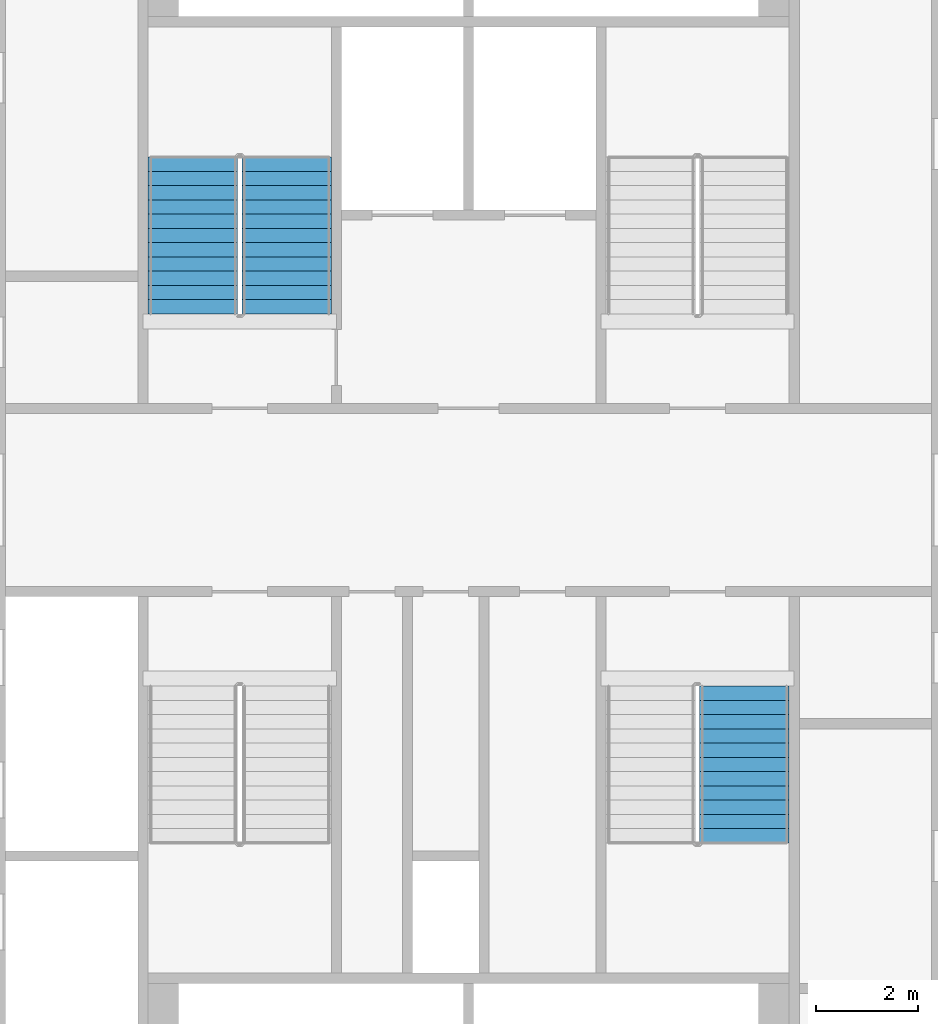
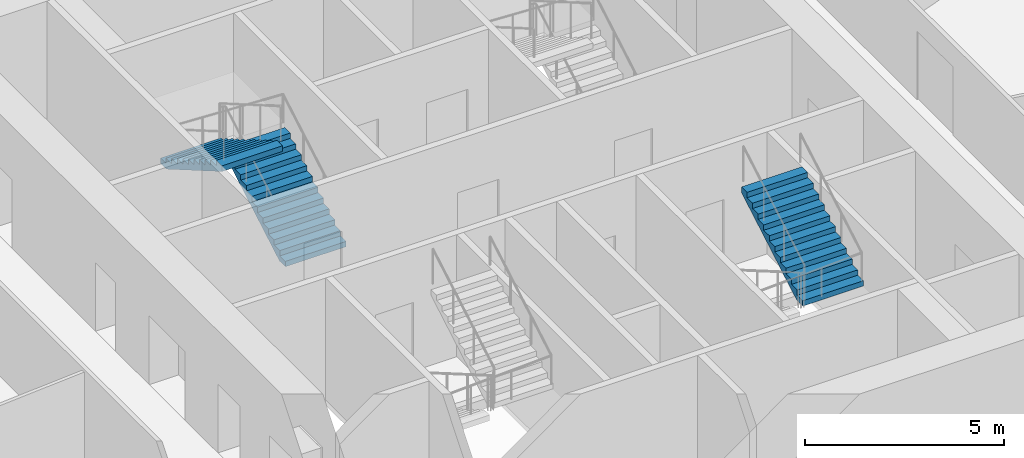
# One storey, part 16 of 22: 3 stair flights, 2 elements without a shape of their own.
"""IFC4 building model written with IfcOpenShell, lengths in metres."""

from ifc_helpers import new_model, si_unit, direction, frame, origin, place, context, subcontext, project, spatial, faceted_brep, material, type_object, element, aggregate, save


model = new_model("IFC4")

# Units and contexts
model_context = context("Model", 3, precision=1e-05, world=origin(), true_north=direction((0.0, 1.0)))
body_context = subcontext(model_context, "Body", "Model", "MODEL_VIEW")
ifc_project = project(units=[si_unit("LENGTHUNIT", "METRE"), si_unit("AREAUNIT", "SQUARE_METRE"), si_unit("VOLUMEUNIT", "CUBIC_METRE"), si_unit("PLANEANGLEUNIT", "RADIAN"), si_unit("MASSUNIT", "GRAM", prefix="KILO")], contexts=[model_context])

# Site, building, storey
site_placement = place(None, origin())
site = spatial("IfcSite", under=ifc_project, at=site_placement, CompositionType="ELEMENT")
building_placement = place(site_placement, origin())
building = spatial("IfcBuilding", under=site, at=building_placement, Name="Tarsis Ring Headquarters", CompositionType="ELEMENT")
storey_placement = place(building_placement, frame((0.0, 0.0, 63.39990234375)))
storey = spatial("IfcBuildingStorey", under=building, at=storey_placement, Name="L13", CompositionType="ELEMENT", Elevation=63.39990234375)

# Stair, stair flights
ifc_material_1 = material(Name="Core stair 1760")
stair_type = type_object("IfcStairType", Name="Core stair 1760", PredefinedType="HALF_TURN_STAIR", material=ifc_material_1)
stair_1_placement = place(storey_placement, origin())
stair_1 = element("IfcStair", 1, at=stair_1_placement, inside=storey, type_object=stair_type, Name="L13 Firefighting stair", PredefinedType="HALF_TURN_STAIR")
ifc_material_2 = material(Name="Concrete C40/50", Category="concrete")
stair_flight_type = type_object("IfcStairFlightType", Name="Core stair flight 1760", PredefinedType="STRAIGHT", material=ifc_material_2)
stair_flight_1_placement = place(storey_placement, frame((-3.580078125, 3.659912109375, 0.0), z_axis=(0.0, 0.0, 1.0), x_axis=(0.0, 1.0, 0.0)))
stair_flight_1 = element("IfcStairFlight", 2, at=stair_flight_1_placement, type_object=stair_flight_type, Name="Stair ST1 flight 1", NumberOfRisers=12, NumberOfTreads=11, PredefinedType="STRAIGHT", RiserHeight=0.1625, TreadLength=0.28, context=body_context, shape_type="Brep", body=[
    faceted_brep([(0.0, 0.8798828125, 0.0), (0.0, 0.8798828125, 0.16259765625), (0.280029296875, 0.8798828125, 0.16259765625), (0.280029296875, 0.8798828125, 0.324951171875), (0.56005859375, 0.8798828125, 0.324951171875), (0.56005859375, 0.8798828125, 0.487548828125), (0.840087890625, 0.8798828125, 0.487548828125), (0.840087890625, 0.8798828125, 0.64990234375), (1.1201171875, 0.8798828125, 0.64990234375), (1.1201171875, 0.8798828125, 0.8125), (1.39990234375, 0.8798828125, 0.8125), (1.39990234375, 0.8798828125, 0.97509765625), (1.679931640625, 0.8798828125, 0.97509765625), (1.679931640625, 0.8798828125, 1.137451171875), (1.9599609375, 0.8798828125, 1.137451171875), (1.9599609375, 0.8798828125, 1.300048828125), (2.239990234375, 0.8798828125, 1.300048828125), (2.239990234375, 0.8798828125, 1.46240234375), (2.52001953125, 0.8798828125, 1.46240234375), (2.52001953125, 0.8798828125, 1.625), (2.800048828125, 0.8798828125, 1.625), (2.800048828125, 0.8798828125, 1.78759765625), (3.080078125, 0.8798828125, 1.78759765625), (3.080078125, 0.8798828125, 1.6142578125), (0.298583984375, 0.8798828125, 0.0), (0.298583984375, -0.8798828125, 0.0), (3.080078125, -0.8798828125, 1.6142578125), (3.080078125, -0.8798828125, 1.78759765625), (2.800048828125, -0.8798828125, 1.78759765625), (2.800048828125, -0.8798828125, 1.625), (2.52001953125, -0.8798828125, 1.625), (2.52001953125, -0.8798828125, 1.46240234375), (2.239990234375, -0.8798828125, 1.46240234375), (2.239990234375, -0.8798828125, 1.300048828125), (1.9599609375, -0.8798828125, 1.300048828125), (1.9599609375, -0.8798828125, 1.137451171875), (1.679931640625, -0.8798828125, 1.137451171875), (1.679931640625, -0.8798828125, 0.97509765625), (1.39990234375, -0.8798828125, 0.97509765625), (1.39990234375, -0.8798828125, 0.8125), (1.1201171875, -0.8798828125, 0.8125), (1.1201171875, -0.8798828125, 0.64990234375), (0.840087890625, -0.8798828125, 0.64990234375), (0.840087890625, -0.8798828125, 0.487548828125), (0.56005859375, -0.8798828125, 0.487548828125), (0.56005859375, -0.8798828125, 0.324951171875), (0.280029296875, -0.8798828125, 0.324951171875), (0.280029296875, -0.8798828125, 0.16259765625), (0.0, -0.8798828125, 0.16259765625), (0.0, -0.8798828125, 0.0), (0.0, -0.43994140625, 0.16259765625), (0.0, -0.43994140625, 0.0), (0.0, 0.0, 0.16259765625), (0.0, 0.0, 0.0), (0.0, 0.43994140625, 0.16259765625), (0.0, 0.43994140625, 0.0), (0.280029296875, -0.43994140625, 0.16259765625), (0.280029296875, 0.0, 0.16259765625), (0.280029296875, 0.43994140625, 0.16259765625), (0.280029296875, -0.43994140625, 0.324951171875), (0.280029296875, 0.0, 0.324951171875), (0.280029296875, 0.43994140625, 0.324951171875), (0.56005859375, -0.43994140625, 0.324951171875), (0.56005859375, 0.0, 0.324951171875), (0.56005859375, 0.43994140625, 0.324951171875), (0.56005859375, -0.43994140625, 0.487548828125), (0.56005859375, 0.0, 0.487548828125), (0.56005859375, 0.43994140625, 0.487548828125), (0.840087890625, -0.43994140625, 0.487548828125), (0.840087890625, 0.0, 0.487548828125), (0.840087890625, 0.43994140625, 0.487548828125), (0.840087890625, -0.43994140625, 0.64990234375), (0.840087890625, 0.0, 0.64990234375), (0.840087890625, 0.43994140625, 0.64990234375), (1.1201171875, -0.43994140625, 0.64990234375), (1.1201171875, 0.0, 0.64990234375), (1.1201171875, 0.43994140625, 0.64990234375), (1.1201171875, -0.43994140625, 0.8125), (1.1201171875, 0.0, 0.8125), (1.1201171875, 0.43994140625, 0.8125), (1.39990234375, -0.43994140625, 0.8125), (1.39990234375, 0.0, 0.8125), (1.39990234375, 0.43994140625, 0.8125), (1.39990234375, -0.43994140625, 0.97509765625), (1.39990234375, 0.0, 0.97509765625), (1.39990234375, 0.43994140625, 0.97509765625), (1.679931640625, -0.43994140625, 0.97509765625), (1.679931640625, 0.0, 0.97509765625), (1.679931640625, 0.43994140625, 0.97509765625), (1.679931640625, -0.43994140625, 1.137451171875), (1.679931640625, 0.0, 1.137451171875), (1.679931640625, 0.43994140625, 1.137451171875), (1.9599609375, -0.43994140625, 1.137451171875), (1.9599609375, 0.0, 1.137451171875), (1.9599609375, 0.43994140625, 1.137451171875), (1.9599609375, -0.43994140625, 1.300048828125), (1.9599609375, 0.0, 1.300048828125), (1.9599609375, 0.43994140625, 1.300048828125), (2.239990234375, -0.43994140625, 1.300048828125), (2.239990234375, 0.0, 1.300048828125), (2.239990234375, 0.43994140625, 1.300048828125), (2.239990234375, -0.43994140625, 1.46240234375), (2.239990234375, 0.0, 1.46240234375), (2.239990234375, 0.43994140625, 1.46240234375), (2.52001953125, -0.43994140625, 1.46240234375), (2.52001953125, 0.0, 1.46240234375), (2.52001953125, 0.43994140625, 1.46240234375), (2.52001953125, -0.43994140625, 1.625), (2.52001953125, 0.0, 1.625), (2.52001953125, 0.43994140625, 1.625), (2.800048828125, -0.43994140625, 1.625), (2.800048828125, 0.0, 1.625), (2.800048828125, 0.43994140625, 1.625), (2.800048828125, -0.43994140625, 1.78759765625), (2.800048828125, 0.0, 1.78759765625), (2.800048828125, 0.43994140625, 1.78759765625), (3.080078125, -0.43994140625, 1.78759765625), (3.080078125, 0.0, 1.78759765625), (3.080078125, 0.43994140625, 1.78759765625), (3.080078125, -0.43994140625, 1.6142578125), (3.080078125, 0.0, 1.6142578125), (3.080078125, 0.43994140625, 1.6142578125), (0.298583984375, -0.43994140625, 0.0), (0.298583984375, 0.0, 0.0), (0.298583984375, 0.43994140625, 0.0)], [[[0, 1, 2, 3, 4, 5, 6, 7, 8, 9, 10, 11, 12, 13, 14, 15, 16, 17, 18, 19, 20, 21, 22, 23, 24]], [[25, 26, 27, 28, 29, 30, 31, 32, 33, 34, 35, 36, 37, 38, 39, 40, 41, 42, 43, 44, 45, 46, 47, 48, 49]], [[49, 48, 50, 51]], [[51, 50, 52, 53]], [[53, 52, 54, 55]], [[55, 54, 1, 0]], [[48, 47, 56, 50]], [[50, 56, 57, 52]], [[52, 57, 58, 54]], [[54, 58, 2, 1]], [[47, 46, 59, 56]], [[56, 59, 60, 57]], [[57, 60, 61, 58]], [[58, 61, 3, 2]], [[46, 45, 62, 59]], [[59, 62, 63, 60]], [[60, 63, 64, 61]], [[61, 64, 4, 3]], [[45, 44, 65, 62]], [[62, 65, 66, 63]], [[63, 66, 67, 64]], [[64, 67, 5, 4]], [[44, 43, 68, 65]], [[65, 68, 69, 66]], [[66, 69, 70, 67]], [[67, 70, 6, 5]], [[43, 42, 71, 68]], [[68, 71, 72, 69]], [[69, 72, 73, 70]], [[70, 73, 7, 6]], [[42, 41, 74, 71]], [[71, 74, 75, 72]], [[72, 75, 76, 73]], [[73, 76, 8, 7]], [[41, 40, 77, 74]], [[74, 77, 78, 75]], [[75, 78, 79, 76]], [[76, 79, 9, 8]], [[40, 39, 80, 77]], [[77, 80, 81, 78]], [[78, 81, 82, 79]], [[79, 82, 10, 9]], [[39, 38, 83, 80]], [[80, 83, 84, 81]], [[81, 84, 85, 82]], [[82, 85, 11, 10]], [[38, 37, 86, 83]], [[83, 86, 87, 84]], [[84, 87, 88, 85]], [[85, 88, 12, 11]], [[37, 36, 89, 86]], [[86, 89, 90, 87]], [[87, 90, 91, 88]], [[88, 91, 13, 12]], [[36, 35, 92, 89]], [[89, 92, 93, 90]], [[90, 93, 94, 91]], [[91, 94, 14, 13]], [[35, 34, 95, 92]], [[92, 95, 96, 93]], [[93, 96, 97, 94]], [[94, 97, 15, 14]], [[34, 33, 98, 95]], [[95, 98, 99, 96]], [[96, 99, 100, 97]], [[97, 100, 16, 15]], [[33, 32, 101, 98]], [[98, 101, 102, 99]], [[99, 102, 103, 100]], [[100, 103, 17, 16]], [[32, 31, 104, 101]], [[101, 104, 105, 102]], [[102, 105, 106, 103]], [[103, 106, 18, 17]], [[31, 30, 107, 104]], [[104, 107, 108, 105]], [[105, 108, 109, 106]], [[106, 109, 19, 18]], [[30, 29, 110, 107]], [[107, 110, 111, 108]], [[108, 111, 112, 109]], [[109, 112, 20, 19]], [[29, 28, 113, 110]], [[110, 113, 114, 111]], [[111, 114, 115, 112]], [[112, 115, 21, 20]], [[28, 27, 116, 113]], [[113, 116, 117, 114]], [[114, 117, 118, 115]], [[115, 118, 22, 21]], [[27, 26, 119, 116]], [[116, 119, 120, 117]], [[117, 120, 121, 118]], [[118, 121, 23, 22]], [[26, 25, 122, 119]], [[119, 122, 123, 120]], [[120, 123, 124, 121]], [[121, 124, 24, 23]], [[25, 49, 51, 122]], [[122, 51, 53, 123]], [[123, 53, 55, 124]], [[124, 55, 0, 24]]]),
])
stair_flight_2_placement = place(storey_placement, frame((-5.419921875, 6.739990234375, 1.9501953125), z_axis=(0.0, 0.0, 1.0), x_axis=(0.0, -1.0, 0.0)))
stair_flight_2 = element("IfcStairFlight", 3, at=stair_flight_2_placement, type_object=stair_flight_type, Name="Stair ST1 flight 2", NumberOfRisers=12, NumberOfTreads=11, PredefinedType="STRAIGHT", RiserHeight=0.1625, TreadLength=0.28, context=body_context, shape_type="Brep", body=[
    faceted_brep([(0.0, 0.8798828125, 0.0), (0.0, 0.8798828125, 0.16259765625), (0.280029296875, 0.8798828125, 0.16259765625), (0.280029296875, 0.8798828125, 0.324951171875), (0.56005859375, 0.8798828125, 0.324951171875), (0.56005859375, 0.8798828125, 0.487548828125), (0.840087890625, 0.8798828125, 0.487548828125), (0.840087890625, 0.8798828125, 0.64990234375), (1.1201171875, 0.8798828125, 0.64990234375), (1.1201171875, 0.8798828125, 0.8125), (1.39990234375, 0.8798828125, 0.8125), (1.39990234375, 0.8798828125, 0.97509765625), (1.679931640625, 0.8798828125, 0.97509765625), (1.679931640625, 0.8798828125, 1.137451171875), (1.9599609375, 0.8798828125, 1.137451171875), (1.9599609375, 0.8798828125, 1.300048828125), (2.239990234375, 0.8798828125, 1.300048828125), (2.239990234375, 0.8798828125, 1.46240234375), (2.52001953125, 0.8798828125, 1.46240234375), (2.52001953125, 0.8798828125, 1.625), (2.800048828125, 0.8798828125, 1.625), (2.800048828125, 0.8798828125, 1.78759765625), (3.080078125, 0.8798828125, 1.78759765625), (3.080078125, 0.8798828125, 1.6142578125), (0.298583984375, 0.8798828125, 0.0), (0.298583984375, -0.8798828125, 0.0), (3.080078125, -0.8798828125, 1.6142578125), (3.080078125, -0.8798828125, 1.78759765625), (2.800048828125, -0.8798828125, 1.78759765625), (2.800048828125, -0.8798828125, 1.625), (2.52001953125, -0.8798828125, 1.625), (2.52001953125, -0.8798828125, 1.46240234375), (2.239990234375, -0.8798828125, 1.46240234375), (2.239990234375, -0.8798828125, 1.300048828125), (1.9599609375, -0.8798828125, 1.300048828125), (1.9599609375, -0.8798828125, 1.137451171875), (1.679931640625, -0.8798828125, 1.137451171875), (1.679931640625, -0.8798828125, 0.97509765625), (1.39990234375, -0.8798828125, 0.97509765625), (1.39990234375, -0.8798828125, 0.8125), (1.1201171875, -0.8798828125, 0.8125), (1.1201171875, -0.8798828125, 0.64990234375), (0.840087890625, -0.8798828125, 0.64990234375), (0.840087890625, -0.8798828125, 0.487548828125), (0.56005859375, -0.8798828125, 0.487548828125), (0.56005859375, -0.8798828125, 0.324951171875), (0.280029296875, -0.8798828125, 0.324951171875), (0.280029296875, -0.8798828125, 0.16259765625), (0.0, -0.8798828125, 0.16259765625), (0.0, -0.8798828125, 0.0), (0.0, -0.43994140625, 0.16259765625), (0.0, -0.43994140625, 0.0), (0.0, 0.0, 0.16259765625), (0.0, 0.0, 0.0), (0.0, 0.43994140625, 0.16259765625), (0.0, 0.43994140625, 0.0), (0.280029296875, -0.43994140625, 0.16259765625), (0.280029296875, 0.0, 0.16259765625), (0.280029296875, 0.43994140625, 0.16259765625), (0.280029296875, -0.43994140625, 0.324951171875), (0.280029296875, 0.0, 0.324951171875), (0.280029296875, 0.43994140625, 0.324951171875), (0.56005859375, -0.43994140625, 0.324951171875), (0.56005859375, 0.0, 0.324951171875), (0.56005859375, 0.43994140625, 0.324951171875), (0.56005859375, -0.43994140625, 0.487548828125), (0.56005859375, 0.0, 0.487548828125), (0.56005859375, 0.43994140625, 0.487548828125), (0.840087890625, -0.43994140625, 0.487548828125), (0.840087890625, 0.0, 0.487548828125), (0.840087890625, 0.43994140625, 0.487548828125), (0.840087890625, -0.43994140625, 0.64990234375), (0.840087890625, 0.0, 0.64990234375), (0.840087890625, 0.43994140625, 0.64990234375), (1.1201171875, -0.43994140625, 0.64990234375), (1.1201171875, 0.0, 0.64990234375), (1.1201171875, 0.43994140625, 0.64990234375), (1.1201171875, -0.43994140625, 0.8125), (1.1201171875, 0.0, 0.8125), (1.1201171875, 0.43994140625, 0.8125), (1.39990234375, -0.43994140625, 0.8125), (1.39990234375, 0.0, 0.8125), (1.39990234375, 0.43994140625, 0.8125), (1.39990234375, -0.43994140625, 0.97509765625), (1.39990234375, 0.0, 0.97509765625), (1.39990234375, 0.43994140625, 0.97509765625), (1.679931640625, -0.43994140625, 0.97509765625), (1.679931640625, 0.0, 0.97509765625), (1.679931640625, 0.43994140625, 0.97509765625), (1.679931640625, -0.43994140625, 1.137451171875), (1.679931640625, 0.0, 1.137451171875), (1.679931640625, 0.43994140625, 1.137451171875), (1.9599609375, -0.43994140625, 1.137451171875), (1.9599609375, 0.0, 1.137451171875), (1.9599609375, 0.43994140625, 1.137451171875), (1.9599609375, -0.43994140625, 1.300048828125), (1.9599609375, 0.0, 1.300048828125), (1.9599609375, 0.43994140625, 1.300048828125), (2.239990234375, -0.43994140625, 1.300048828125), (2.239990234375, 0.0, 1.300048828125), (2.239990234375, 0.43994140625, 1.300048828125), (2.239990234375, -0.43994140625, 1.46240234375), (2.239990234375, 0.0, 1.46240234375), (2.239990234375, 0.43994140625, 1.46240234375), (2.52001953125, -0.43994140625, 1.46240234375), (2.52001953125, 0.0, 1.46240234375), (2.52001953125, 0.43994140625, 1.46240234375), (2.52001953125, -0.43994140625, 1.625), (2.52001953125, 0.0, 1.625), (2.52001953125, 0.43994140625, 1.625), (2.800048828125, -0.43994140625, 1.625), (2.800048828125, 0.0, 1.625), (2.800048828125, 0.43994140625, 1.625), (2.800048828125, -0.43994140625, 1.78759765625), (2.800048828125, 0.0, 1.78759765625), (2.800048828125, 0.43994140625, 1.78759765625), (3.080078125, -0.43994140625, 1.78759765625), (3.080078125, 0.0, 1.78759765625), (3.080078125, 0.43994140625, 1.78759765625), (3.080078125, -0.43994140625, 1.6142578125), (3.080078125, 0.0, 1.6142578125), (3.080078125, 0.43994140625, 1.6142578125), (0.298583984375, -0.43994140625, 0.0), (0.298583984375, 0.0, 0.0), (0.298583984375, 0.43994140625, 0.0)], [[[0, 1, 2, 3, 4, 5, 6, 7, 8, 9, 10, 11, 12, 13, 14, 15, 16, 17, 18, 19, 20, 21, 22, 23, 24]], [[25, 26, 27, 28, 29, 30, 31, 32, 33, 34, 35, 36, 37, 38, 39, 40, 41, 42, 43, 44, 45, 46, 47, 48, 49]], [[49, 48, 50, 51]], [[51, 50, 52, 53]], [[53, 52, 54, 55]], [[55, 54, 1, 0]], [[48, 47, 56, 50]], [[50, 56, 57, 52]], [[52, 57, 58, 54]], [[54, 58, 2, 1]], [[47, 46, 59, 56]], [[56, 59, 60, 57]], [[57, 60, 61, 58]], [[58, 61, 3, 2]], [[46, 45, 62, 59]], [[59, 62, 63, 60]], [[60, 63, 64, 61]], [[61, 64, 4, 3]], [[45, 44, 65, 62]], [[62, 65, 66, 63]], [[63, 66, 67, 64]], [[64, 67, 5, 4]], [[44, 43, 68, 65]], [[65, 68, 69, 66]], [[66, 69, 70, 67]], [[67, 70, 6, 5]], [[43, 42, 71, 68]], [[68, 71, 72, 69]], [[69, 72, 73, 70]], [[70, 73, 7, 6]], [[42, 41, 74, 71]], [[71, 74, 75, 72]], [[72, 75, 76, 73]], [[73, 76, 8, 7]], [[41, 40, 77, 74]], [[74, 77, 78, 75]], [[75, 78, 79, 76]], [[76, 79, 9, 8]], [[40, 39, 80, 77]], [[77, 80, 81, 78]], [[78, 81, 82, 79]], [[79, 82, 10, 9]], [[39, 38, 83, 80]], [[80, 83, 84, 81]], [[81, 84, 85, 82]], [[82, 85, 11, 10]], [[38, 37, 86, 83]], [[83, 86, 87, 84]], [[84, 87, 88, 85]], [[85, 88, 12, 11]], [[37, 36, 89, 86]], [[86, 89, 90, 87]], [[87, 90, 91, 88]], [[88, 91, 13, 12]], [[36, 35, 92, 89]], [[89, 92, 93, 90]], [[90, 93, 94, 91]], [[91, 94, 14, 13]], [[35, 34, 95, 92]], [[92, 95, 96, 93]], [[93, 96, 97, 94]], [[94, 97, 15, 14]], [[34, 33, 98, 95]], [[95, 98, 99, 96]], [[96, 99, 100, 97]], [[97, 100, 16, 15]], [[33, 32, 101, 98]], [[98, 101, 102, 99]], [[99, 102, 103, 100]], [[100, 103, 17, 16]], [[32, 31, 104, 101]], [[101, 104, 105, 102]], [[102, 105, 106, 103]], [[103, 106, 18, 17]], [[31, 30, 107, 104]], [[104, 107, 108, 105]], [[105, 108, 109, 106]], [[106, 109, 19, 18]], [[30, 29, 110, 107]], [[107, 110, 111, 108]], [[108, 111, 112, 109]], [[109, 112, 20, 19]], [[29, 28, 113, 110]], [[110, 113, 114, 111]], [[111, 114, 115, 112]], [[112, 115, 21, 20]], [[28, 27, 116, 113]], [[113, 116, 117, 114]], [[114, 117, 118, 115]], [[115, 118, 22, 21]], [[27, 26, 119, 116]], [[116, 119, 120, 117]], [[117, 120, 121, 118]], [[118, 121, 23, 22]], [[26, 25, 122, 119]], [[119, 122, 123, 120]], [[120, 123, 124, 121]], [[121, 124, 24, 23]], [[25, 49, 51, 122]], [[122, 51, 53, 123]], [[123, 53, 55, 124]], [[124, 55, 0, 24]]]),
])
aggregate(stair_1, [stair_flight_1, stair_flight_2])

# Stair, stair flight
stair_2_placement = place(storey_placement, origin())
stair_2 = element("IfcStair", 4, at=stair_2_placement, inside=storey, type_object=stair_type, Name="L13 Exit stair D", PredefinedType="HALF_TURN_STAIR")
stair_flight_3_placement = place(storey_placement, frame((5.419921875, -6.739990234375, 1.9501953125), z_axis=(0.0, 0.0, 1.0), x_axis=(0.0, 1.0, 0.0)))
stair_flight_3 = element("IfcStairFlight", 5, at=stair_flight_3_placement, type_object=stair_flight_type, Name="Stair ST4 flight 2", NumberOfRisers=12, NumberOfTreads=11, PredefinedType="STRAIGHT", RiserHeight=0.1625, TreadLength=0.28, context=body_context, shape_type="Brep", body=[
    faceted_brep([(0.0, 0.8798828125, 0.0), (0.0, 0.8798828125, 0.16259765625), (0.280029296875, 0.8798828125, 0.16259765625), (0.280029296875, 0.8798828125, 0.324951171875), (0.56005859375, 0.8798828125, 0.324951171875), (0.56005859375, 0.8798828125, 0.487548828125), (0.840087890625, 0.8798828125, 0.487548828125), (0.840087890625, 0.8798828125, 0.64990234375), (1.1201171875, 0.8798828125, 0.64990234375), (1.1201171875, 0.8798828125, 0.8125), (1.39990234375, 0.8798828125, 0.8125), (1.39990234375, 0.8798828125, 0.97509765625), (1.679931640625, 0.8798828125, 0.97509765625), (1.679931640625, 0.8798828125, 1.137451171875), (1.9599609375, 0.8798828125, 1.137451171875), (1.9599609375, 0.8798828125, 1.300048828125), (2.239990234375, 0.8798828125, 1.300048828125), (2.239990234375, 0.8798828125, 1.46240234375), (2.52001953125, 0.8798828125, 1.46240234375), (2.52001953125, 0.8798828125, 1.625), (2.800048828125, 0.8798828125, 1.625), (2.800048828125, 0.8798828125, 1.78759765625), (3.080078125, 0.8798828125, 1.78759765625), (3.080078125, 0.8798828125, 1.6142578125), (0.298583984375, 0.8798828125, 0.0), (0.298583984375, -0.8798828125, 0.0), (3.080078125, -0.8798828125, 1.6142578125), (3.080078125, -0.8798828125, 1.78759765625), (2.800048828125, -0.8798828125, 1.78759765625), (2.800048828125, -0.8798828125, 1.625), (2.52001953125, -0.8798828125, 1.625), (2.52001953125, -0.8798828125, 1.46240234375), (2.239990234375, -0.8798828125, 1.46240234375), (2.239990234375, -0.8798828125, 1.300048828125), (1.9599609375, -0.8798828125, 1.300048828125), (1.9599609375, -0.8798828125, 1.137451171875), (1.679931640625, -0.8798828125, 1.137451171875), (1.679931640625, -0.8798828125, 0.97509765625), (1.39990234375, -0.8798828125, 0.97509765625), (1.39990234375, -0.8798828125, 0.8125), (1.1201171875, -0.8798828125, 0.8125), (1.1201171875, -0.8798828125, 0.64990234375), (0.840087890625, -0.8798828125, 0.64990234375), (0.840087890625, -0.8798828125, 0.487548828125), (0.56005859375, -0.8798828125, 0.487548828125), (0.56005859375, -0.8798828125, 0.324951171875), (0.280029296875, -0.8798828125, 0.324951171875), (0.280029296875, -0.8798828125, 0.16259765625), (0.0, -0.8798828125, 0.16259765625), (0.0, -0.8798828125, 0.0), (0.0, -0.43994140625, 0.16259765625), (0.0, -0.43994140625, 0.0), (0.0, 0.0, 0.16259765625), (0.0, 0.0, 0.0), (0.0, 0.43994140625, 0.16259765625), (0.0, 0.43994140625, 0.0), (0.280029296875, -0.43994140625, 0.16259765625), (0.280029296875, 0.0, 0.16259765625), (0.280029296875, 0.43994140625, 0.16259765625), (0.280029296875, -0.43994140625, 0.324951171875), (0.280029296875, 0.0, 0.324951171875), (0.280029296875, 0.43994140625, 0.324951171875), (0.56005859375, -0.43994140625, 0.324951171875), (0.56005859375, 0.0, 0.324951171875), (0.56005859375, 0.43994140625, 0.324951171875), (0.56005859375, -0.43994140625, 0.487548828125), (0.56005859375, 0.0, 0.487548828125), (0.56005859375, 0.43994140625, 0.487548828125), (0.840087890625, -0.43994140625, 0.487548828125), (0.840087890625, 0.0, 0.487548828125), (0.840087890625, 0.43994140625, 0.487548828125), (0.840087890625, -0.43994140625, 0.64990234375), (0.840087890625, 0.0, 0.64990234375), (0.840087890625, 0.43994140625, 0.64990234375), (1.1201171875, -0.43994140625, 0.64990234375), (1.1201171875, 0.0, 0.64990234375), (1.1201171875, 0.43994140625, 0.64990234375), (1.1201171875, -0.43994140625, 0.8125), (1.1201171875, 0.0, 0.8125), (1.1201171875, 0.43994140625, 0.8125), (1.39990234375, -0.43994140625, 0.8125), (1.39990234375, 0.0, 0.8125), (1.39990234375, 0.43994140625, 0.8125), (1.39990234375, -0.43994140625, 0.97509765625), (1.39990234375, 0.0, 0.97509765625), (1.39990234375, 0.43994140625, 0.97509765625), (1.679931640625, -0.43994140625, 0.97509765625), (1.679931640625, 0.0, 0.97509765625), (1.679931640625, 0.43994140625, 0.97509765625), (1.679931640625, -0.43994140625, 1.137451171875), (1.679931640625, 0.0, 1.137451171875), (1.679931640625, 0.43994140625, 1.137451171875), (1.9599609375, -0.43994140625, 1.137451171875), (1.9599609375, 0.0, 1.137451171875), (1.9599609375, 0.43994140625, 1.137451171875), (1.9599609375, -0.43994140625, 1.300048828125), (1.9599609375, 0.0, 1.300048828125), (1.9599609375, 0.43994140625, 1.300048828125), (2.239990234375, -0.43994140625, 1.300048828125), (2.239990234375, 0.0, 1.300048828125), (2.239990234375, 0.43994140625, 1.300048828125), (2.239990234375, -0.43994140625, 1.46240234375), (2.239990234375, 0.0, 1.46240234375), (2.239990234375, 0.43994140625, 1.46240234375), (2.52001953125, -0.43994140625, 1.46240234375), (2.52001953125, 0.0, 1.46240234375), (2.52001953125, 0.43994140625, 1.46240234375), (2.52001953125, -0.43994140625, 1.625), (2.52001953125, 0.0, 1.625), (2.52001953125, 0.43994140625, 1.625), (2.800048828125, -0.43994140625, 1.625), (2.800048828125, 0.0, 1.625), (2.800048828125, 0.43994140625, 1.625), (2.800048828125, -0.43994140625, 1.78759765625), (2.800048828125, 0.0, 1.78759765625), (2.800048828125, 0.43994140625, 1.78759765625), (3.080078125, -0.43994140625, 1.78759765625), (3.080078125, 0.0, 1.78759765625), (3.080078125, 0.43994140625, 1.78759765625), (3.080078125, -0.43994140625, 1.6142578125), (3.080078125, 0.0, 1.6142578125), (3.080078125, 0.43994140625, 1.6142578125), (0.298583984375, -0.43994140625, 0.0), (0.298583984375, 0.0, 0.0), (0.298583984375, 0.43994140625, 0.0)], [[[0, 1, 2, 3, 4, 5, 6, 7, 8, 9, 10, 11, 12, 13, 14, 15, 16, 17, 18, 19, 20, 21, 22, 23, 24]], [[25, 26, 27, 28, 29, 30, 31, 32, 33, 34, 35, 36, 37, 38, 39, 40, 41, 42, 43, 44, 45, 46, 47, 48, 49]], [[49, 48, 50, 51]], [[51, 50, 52, 53]], [[53, 52, 54, 55]], [[55, 54, 1, 0]], [[48, 47, 56, 50]], [[50, 56, 57, 52]], [[52, 57, 58, 54]], [[54, 58, 2, 1]], [[47, 46, 59, 56]], [[56, 59, 60, 57]], [[57, 60, 61, 58]], [[58, 61, 3, 2]], [[46, 45, 62, 59]], [[59, 62, 63, 60]], [[60, 63, 64, 61]], [[61, 64, 4, 3]], [[45, 44, 65, 62]], [[62, 65, 66, 63]], [[63, 66, 67, 64]], [[64, 67, 5, 4]], [[44, 43, 68, 65]], [[65, 68, 69, 66]], [[66, 69, 70, 67]], [[67, 70, 6, 5]], [[43, 42, 71, 68]], [[68, 71, 72, 69]], [[69, 72, 73, 70]], [[70, 73, 7, 6]], [[42, 41, 74, 71]], [[71, 74, 75, 72]], [[72, 75, 76, 73]], [[73, 76, 8, 7]], [[41, 40, 77, 74]], [[74, 77, 78, 75]], [[75, 78, 79, 76]], [[76, 79, 9, 8]], [[40, 39, 80, 77]], [[77, 80, 81, 78]], [[78, 81, 82, 79]], [[79, 82, 10, 9]], [[39, 38, 83, 80]], [[80, 83, 84, 81]], [[81, 84, 85, 82]], [[82, 85, 11, 10]], [[38, 37, 86, 83]], [[83, 86, 87, 84]], [[84, 87, 88, 85]], [[85, 88, 12, 11]], [[37, 36, 89, 86]], [[86, 89, 90, 87]], [[87, 90, 91, 88]], [[88, 91, 13, 12]], [[36, 35, 92, 89]], [[89, 92, 93, 90]], [[90, 93, 94, 91]], [[91, 94, 14, 13]], [[35, 34, 95, 92]], [[92, 95, 96, 93]], [[93, 96, 97, 94]], [[94, 97, 15, 14]], [[34, 33, 98, 95]], [[95, 98, 99, 96]], [[96, 99, 100, 97]], [[97, 100, 16, 15]], [[33, 32, 101, 98]], [[98, 101, 102, 99]], [[99, 102, 103, 100]], [[100, 103, 17, 16]], [[32, 31, 104, 101]], [[101, 104, 105, 102]], [[102, 105, 106, 103]], [[103, 106, 18, 17]], [[31, 30, 107, 104]], [[104, 107, 108, 105]], [[105, 108, 109, 106]], [[106, 109, 19, 18]], [[30, 29, 110, 107]], [[107, 110, 111, 108]], [[108, 111, 112, 109]], [[109, 112, 20, 19]], [[29, 28, 113, 110]], [[110, 113, 114, 111]], [[111, 114, 115, 112]], [[112, 115, 21, 20]], [[28, 27, 116, 113]], [[113, 116, 117, 114]], [[114, 117, 118, 115]], [[115, 118, 22, 21]], [[27, 26, 119, 116]], [[116, 119, 120, 117]], [[117, 120, 121, 118]], [[118, 121, 23, 22]], [[26, 25, 122, 119]], [[119, 122, 123, 120]], [[120, 123, 124, 121]], [[121, 124, 24, 23]], [[25, 49, 51, 122]], [[122, 51, 53, 123]], [[123, 53, 55, 124]], [[124, 55, 0, 24]]]),
])
aggregate(stair_2, [stair_flight_3])

save(model, "model.ifc")
